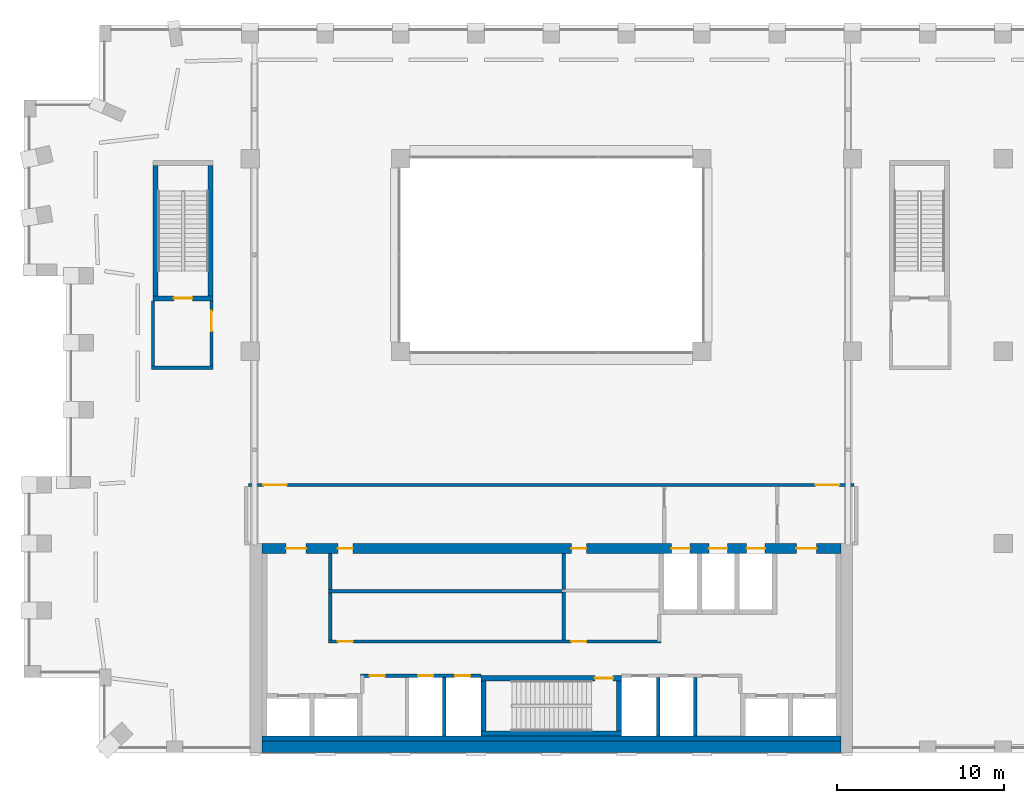
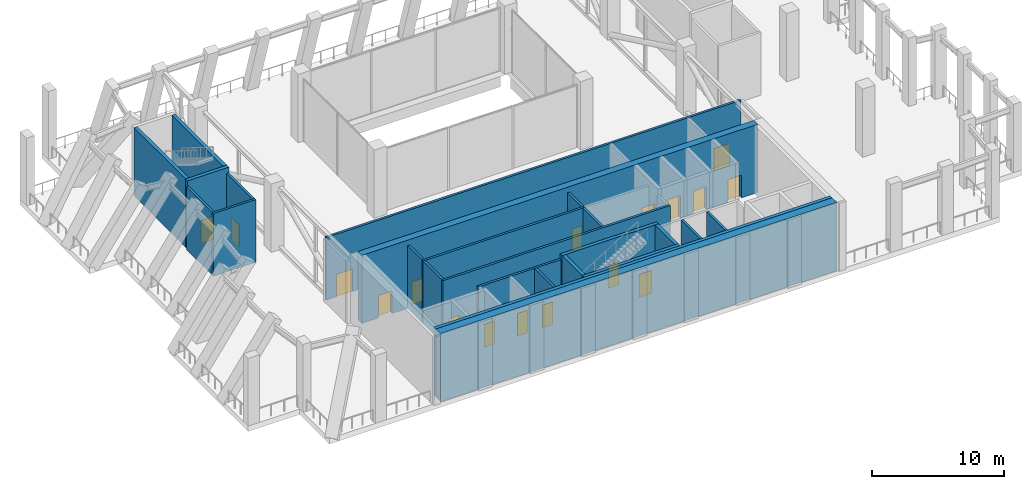
# One storey, part 10 of 14: 24 walls, 17 doors, 17 openings.
"""IFC4 building model written with IfcOpenShell, lengths in metres."""

from ifc_helpers import new_model, si_unit, direction, frame, frame_2d, origin, place, context, subcontext, project, spatial, rectangle, extrude, material, layer, layer_set, type_object, element, fill, save


model = new_model("IFC4")

# Units and contexts
model_context = context("Model", 3, precision=1e-05, world=origin(), true_north=direction((0.0, 1.0)))
body_context = subcontext(model_context, "Body", "Model", "MODEL_VIEW")
ifc_project = project(units=[si_unit("LENGTHUNIT", "METRE"), si_unit("AREAUNIT", "SQUARE_METRE"), si_unit("VOLUMEUNIT", "CUBIC_METRE"), si_unit("PLANEANGLEUNIT", "RADIAN"), si_unit("MASSUNIT", "GRAM", prefix="KILO")], contexts=[model_context])

# Site, building, storey
site_placement = place(None, origin())
site = spatial("IfcSite", under=ifc_project, at=site_placement, CompositionType="ELEMENT")
building_placement = place(site_placement, origin())
building = spatial("IfcBuilding", under=site, at=building_placement, Name="Brigalow Station Residences", CompositionType="ELEMENT")
storey_placement = place(building_placement, frame((0.0, 0.0, 185.39990234375)))
storey = spatial("IfcBuildingStorey", under=building, at=storey_placement, Name="L54", CompositionType="ELEMENT", Elevation=185.39990234375)

# Walls
ifc_material_1 = material(Name="Concrete C65", Category="concrete")
ifc_layer_1 = layer(ifc_material_1, 0.300048828125)
ifc_layer_set_1 = layer_set([ifc_layer_1], Name="CORE SHEAR WALL 300 C65")
wall_type_1 = type_object("IfcWallType", Name="CORE SHEAR WALL 300 C65", PredefinedType="SHEAR", material=ifc_layer_set_1)
wall_1_placement = place(storey_placement, frame((18.699951171875, 0.85009765625, 0.0), z_axis=(0.0, 0.0, 1.0), x_axis=(1.0, 0.0, 0.0)))
element("IfcWall", 1, at=wall_1_placement, inside=storey, type_object=wall_type_1, Name="CORE WALL LIN-S L54", PredefinedType="SHEAR", context=body_context, shape_type="SweptSolid", body=[
    extrude(rectangle(XDim=34.60009765625, YDim=0.300048828125, at=frame_2d((17.300048828125, 0.0))), origin(), (0.0, 0.0, 1.0), 6.300048828125),
])
wall_2_placement = place(storey_placement, frame((31.800048828125, 1.14990234375, 0.0), z_axis=(0.0, 0.0, 1.0), x_axis=(1.0, 0.0, 0.0)))
element("IfcWall", 2, at=wall_2_placement, inside=storey, type_object=wall_type_1, Name="CORE WALL ST-S2-S L54", PredefinedType="SHEAR", context=body_context, shape_type="SweptSolid", body=[
    extrude(rectangle(XDim=8.39990234375, YDim=0.300048828125, at=frame_2d((4.199951171875, 0.0))), origin(), (0.0, 0.0, 1.0), 6.300048828125),
])

# Wall, opening, door
wall_3_placement = place(storey_placement, frame((31.800048828125, 4.449951171875, 0.0), z_axis=(0.0, 0.0, 1.0), x_axis=(1.0, 0.0, 0.0)))
wall_3 = element("IfcWall", 3, at=wall_3_placement, inside=storey, type_object=wall_type_1, Name="CORE WALL ST-S2-N L54", PredefinedType="SHEAR", context=body_context, shape_type="SweptSolid", body=[
    extrude(rectangle(XDim=8.39990234375, YDim=0.300048828125, at=frame_2d((4.199951171875, 0.0))), origin(), (0.0, 0.0, 1.0), 6.300048828125),
])
opening_1_placement = place(wall_3_placement, frame((6.800048828125, 0.0, 0.0)))
opening_1 = element("IfcOpeningElement", 4, at=opening_1_placement, cuts=wall_3, Name="Opening D-5001", PredefinedType="OPENING", context=body_context, shape_type="SweptSolid", body=[
    extrude(rectangle(XDim=1.10009765625, YDim=2.10009765625, at=frame_2d((0.550048828125, 1.050048828125))), frame((0.0, 0.16015625, 0.0), z_axis=(0.0, -1.0, 0.0), x_axis=(1.0, 0.0, 0.0)), (0.0, 0.0, 1.0), 0.320068359375),
])
ifc_material_2 = material(Name="Steel fire door leaf in steel frame", Category="steel")
door_type_1 = type_object("IfcDoorType", Name="STAIR DOOR 1100 x 2100 FD60S", OperationType="SINGLE_SWING_LEFT", PredefinedType="DOOR", material=ifc_material_2)
door_1_placement = place(opening_1_placement, frame((1.10009765625, 0.0, 0.0), z_axis=(0.0, 0.0, 1.0), x_axis=(-1.0, 0.0, 0.0)))
door_1 = element("IfcDoor", 5, at=door_1_placement, inside=storey, type_object=door_type_1, Name="D-5001", OperationType="SINGLE_SWING_LEFT", OverallHeight=2.10009765625, OverallWidth=1.10009765625, PredefinedType="DOOR", context=body_context, shape_type="SweptSolid", body=[
    extrude(rectangle(XDim=1.10009765625, YDim=2.10009765625, at=frame_2d((0.550048828125, 1.050048828125))), frame((0.0, 0.02490234375, 0.0), z_axis=(0.0, -1.0, 0.0), x_axis=(1.0, 0.0, 0.0)), (0.0, 0.0, 1.0), 0.050048828125),
])
fill(opening_1, door_1)

# Walls
for number, where, z_axis, x_axis, name in (
    (6, (31.949951171875, 1.300048828125, 0.0), (0.0, 0.0, 1.0), (0.0, 1.0, 0.0), "CORE WALL ST-S2-W L54"),
    (7, (40.050048828125, 1.300048828125, 0.0), (0.0, 0.0, 1.0), (0.0, 1.0, 0.0), "CORE WALL ST-S2-E L54"),
):
    element("IfcWall", number, at=place(storey_placement, frame(where, z_axis=z_axis, x_axis=x_axis)), inside=storey, type_object=wall_type_1, Name=name, PredefinedType="SHEAR", context=body_context, shape_type="SweptSolid", body=[
        extrude(rectangle(XDim=3.0, YDim=0.300048828125, at=frame_2d((1.5, 0.0))), origin(), (0.0, 0.0, 1.0), 6.300048828125),
    ])

# Wall, opening, door
wall_4_placement = place(storey_placement, frame((12.199951171875, 27.14990234375, 0.0), z_axis=(0.0, 0.0, 1.0), x_axis=(1.0, 0.0, 0.0)))
wall_4 = element("IfcWall", 8, at=wall_4_placement, inside=storey, type_object=wall_type_1, Name="CORE WALL ST-S1-S L54", PredefinedType="SHEAR", context=body_context, shape_type="SweptSolid", body=[
    extrude(rectangle(XDim=3.60009765625, YDim=0.300048828125, at=frame_2d((1.800048828125, 0.0))), origin(), (0.0, 0.0, 1.0), 6.300048828125),
])
opening_2_placement = place(wall_4_placement, frame((1.25, 0.0, 0.0)))
opening_2 = element("IfcOpeningElement", 9, at=opening_2_placement, cuts=wall_4, Name="Opening D-5015", PredefinedType="OPENING", context=body_context, shape_type="SweptSolid", body=[
    extrude(rectangle(XDim=1.10009765625, YDim=2.10009765625, at=frame_2d((0.550048828125, 1.050048828125))), frame((0.0, 0.16015625, 0.0), z_axis=(0.0, -1.0, 0.0), x_axis=(1.0, 0.0, 0.0)), (0.0, 0.0, 1.0), 0.320068359375),
])
door_2_placement = place(opening_2_placement, origin())
door_2 = element("IfcDoor", 10, at=door_2_placement, inside=storey, type_object=door_type_1, Name="D-5015", OperationType="SINGLE_SWING_LEFT", OverallHeight=2.10009765625, OverallWidth=1.10009765625, PredefinedType="DOOR", context=body_context, shape_type="SweptSolid", body=[
    extrude(rectangle(XDim=1.10009765625, YDim=2.10009765625, at=frame_2d((0.550048828125, 1.050048828125))), frame((0.0, 0.02490234375, 0.0), z_axis=(0.0, -1.0, 0.0), x_axis=(1.0, 0.0, 0.0)), (0.0, 0.0, 1.0), 0.050048828125),
])
fill(opening_2, door_2)

# Walls
for number, where, z_axis, x_axis, name in (
    (11, (12.35009765625, 27.300048828125, 0.0), (0.0, 0.0, 1.0), (0.0, 1.0, 0.0), "CORE WALL ST-S1-W L54"),
    (12, (15.64990234375, 27.300048828125, 0.0), (0.0, 0.0, 1.0), (0.0, 1.0, 0.0), "CORE WALL ST-S1-E L54"),
):
    element("IfcWall", number, at=place(storey_placement, frame(where, z_axis=z_axis, x_axis=x_axis)), inside=storey, type_object=wall_type_1, Name=name, PredefinedType="SHEAR", context=body_context, shape_type="SweptSolid", body=[
        extrude(rectangle(XDim=7.800048828125, YDim=0.300048828125, at=frame_2d((3.89990234375, 0.0))), origin(), (0.0, 0.0, 1.0), 6.300048828125),
    ])

# Wall, openings, doors
ifc_material_3 = material(Name="Concrete C65", Category="concrete")
ifc_layer_2 = layer(ifc_material_3, 0.60009765625)
ifc_layer_set_2 = layer_set([ifc_layer_2], Name="CORE SHEAR WALL 600 C65")
wall_type_2 = type_object("IfcWallType", Name="CORE SHEAR WALL 600 C65", PredefinedType="SHEAR", material=ifc_layer_set_2)
wall_5_placement = place(storey_placement, frame((18.699951171875, 12.199951171875, 0.0), z_axis=(0.0, 0.0, 1.0), x_axis=(1.0, 0.0, 0.0)))
wall_5 = element("IfcWall", 13, at=wall_5_placement, inside=storey, type_object=wall_type_2, Name="CORE WALL OUT-N L54", PredefinedType="SHEAR", context=body_context, shape_type="SweptSolid", body=[
    extrude(rectangle(XDim=34.60009765625, YDim=0.60009765625, at=frame_2d((17.300048828125, 0.0))), origin(), (0.0, 0.0, 1.0), 6.300048828125),
])
opening_3_placement = place(wall_5_placement, frame((24.47509765625, 0.0, 0.0)))
opening_3 = element("IfcOpeningElement", 14, at=opening_3_placement, cuts=wall_5, Name="Opening LD-LF1", PredefinedType="OPENING", context=body_context, shape_type="SweptSolid", body=[
    extrude(rectangle(XDim=1.10009765625, YDim=2.10009765625, at=frame_2d((0.550048828125, 1.050048828125))), frame((0.0, 0.31005859375, 0.0), z_axis=(0.0, -1.0, 0.0), x_axis=(1.0, 0.0, 0.0)), (0.0, 0.0, 1.0), 0.6201171875),
])
opening_4_placement = place(wall_5_placement, frame((26.72509765625, 0.0, 0.0)))
opening_4 = element("IfcOpeningElement", 15, at=opening_4_placement, cuts=wall_5, Name="Opening LD-LF2", PredefinedType="OPENING", context=body_context, shape_type="SweptSolid", body=[
    extrude(rectangle(XDim=1.10009765625, YDim=2.10009765625, at=frame_2d((0.550048828125, 1.050048828125))), frame((0.0, 0.31005859375, 0.0), z_axis=(0.0, -1.0, 0.0), x_axis=(1.0, 0.0, 0.0)), (0.0, 0.0, 1.0), 0.6201171875),
])
opening_5_placement = place(wall_5_placement, frame((28.97509765625, 0.0, 0.0)))
opening_5 = element("IfcOpeningElement", 16, at=opening_5_placement, cuts=wall_5, Name="Opening LD-LG1", PredefinedType="OPENING", context=body_context, shape_type="SweptSolid", body=[
    extrude(rectangle(XDim=1.10009765625, YDim=2.10009765625, at=frame_2d((0.550048828125, 1.050048828125))), frame((0.0, 0.31005859375, 0.0), z_axis=(0.0, -1.0, 0.0), x_axis=(1.0, 0.0, 0.0)), (0.0, 0.0, 1.0), 0.6201171875),
])
opening_6_placement = place(wall_5_placement, frame((18.5, 0.0, 0.0)))
opening_6 = element("IfcOpeningElement", 17, at=opening_6_placement, cuts=wall_5, Name="Opening D-5126", PredefinedType="OPENING", context=body_context, shape_type="SweptSolid", body=[
    extrude(rectangle(XDim=0.89990234375, YDim=2.10009765625, at=frame_2d((0.449951171875, 1.050048828125))), frame((0.0, 0.31005859375, 0.0), z_axis=(0.0, -1.0, 0.0), x_axis=(1.0, 0.0, 0.0)), (0.0, 0.0, 1.0), 0.6201171875),
])
opening_7_placement = place(wall_5_placement, frame((4.550048828125, 0.0, 0.0)))
opening_7 = element("IfcOpeningElement", 18, at=opening_7_placement, cuts=wall_5, Name="Opening D-5127", PredefinedType="OPENING", context=body_context, shape_type="SweptSolid", body=[
    extrude(rectangle(XDim=0.89990234375, YDim=2.10009765625, at=frame_2d((0.449951171875, 1.050048828125))), frame((0.0, 0.31005859375, 0.0), z_axis=(0.0, -1.0, 0.0), x_axis=(1.0, 0.0, 0.0)), (0.0, 0.0, 1.0), 0.6201171875),
])
opening_8_placement = place(wall_5_placement, frame((1.449951171875, 0.0, 0.0)))
opening_8 = element("IfcOpeningElement", 19, at=opening_8_placement, cuts=wall_5, Name="Opening D-5011", PredefinedType="OPENING", context=body_context, shape_type="SweptSolid", body=[
    extrude(rectangle(XDim=1.199951171875, YDim=2.10009765625, at=frame_2d((0.60009765625, 1.050048828125))), frame((0.0, 0.31005859375, 0.0), z_axis=(0.0, -1.0, 0.0), x_axis=(1.0, 0.0, 0.0)), (0.0, 0.0, 1.0), 0.6201171875),
])
opening_9_placement = place(wall_5_placement, frame((31.949951171875, 0.0, 0.0)))
opening_9 = element("IfcOpeningElement", 20, at=opening_9_placement, cuts=wall_5, Name="Opening D-5012", PredefinedType="OPENING", context=body_context, shape_type="SweptSolid", body=[
    extrude(rectangle(XDim=1.199951171875, YDim=2.10009765625, at=frame_2d((0.60009765625, 1.050048828125))), frame((0.0, 0.31005859375, 0.0), z_axis=(0.0, -1.0, 0.0), x_axis=(1.0, 0.0, 0.0)), (0.0, 0.0, 1.0), 0.6201171875),
])
ifc_material_4 = material(Name="Steel fire door leaf in steel frame", Category="steel")
door_type_2 = type_object("IfcDoorType", Name="CORE CORRIDOR DOOR 1200 x 2100 FD60S", OperationType="SINGLE_SWING_LEFT", PredefinedType="DOOR", material=ifc_material_4)
door_3_placement = place(opening_8_placement, frame((1.199951171875, 0.0, 0.0), z_axis=(0.0, 0.0, 1.0), x_axis=(-1.0, 0.0, 0.0)))
door_3 = element("IfcDoor", 21, at=door_3_placement, inside=storey, type_object=door_type_2, Name="D-5011", OperationType="SINGLE_SWING_LEFT", OverallHeight=2.10009765625, OverallWidth=1.199951171875, PredefinedType="DOOR", context=body_context, shape_type="SweptSolid", body=[
    extrude(rectangle(XDim=1.199951171875, YDim=2.10009765625, at=frame_2d((0.60009765625, 1.050048828125))), frame((0.0, 0.02490234375, 0.0), z_axis=(0.0, -1.0, 0.0), x_axis=(1.0, 0.0, 0.0)), (0.0, 0.0, 1.0), 0.050048828125),
])
fill(opening_8, door_3)
door_4_placement = place(opening_9_placement, frame((1.199951171875, 0.0, 0.0), z_axis=(0.0, 0.0, 1.0), x_axis=(-1.0, 0.0, 0.0)))
door_4 = element("IfcDoor", 22, at=door_4_placement, inside=storey, type_object=door_type_2, Name="D-5012", OperationType="SINGLE_SWING_LEFT", OverallHeight=2.10009765625, OverallWidth=1.199951171875, PredefinedType="DOOR", context=body_context, shape_type="SweptSolid", body=[
    extrude(rectangle(XDim=1.199951171875, YDim=2.10009765625, at=frame_2d((0.60009765625, 1.050048828125))), frame((0.0, 0.02490234375, 0.0), z_axis=(0.0, -1.0, 0.0), x_axis=(1.0, 0.0, 0.0)), (0.0, 0.0, 1.0), 0.050048828125),
])
fill(opening_9, door_4)
ifc_material_5 = material(Name="Stainless steel sliding door leaves", Category="steel")
door_type_3 = type_object("IfcDoorType", Name="LIFT LANDING DOOR 1100 x 2100", OperationType="DOUBLE_DOOR_SLIDING", PredefinedType="DOOR", material=ifc_material_5)
door_5_placement = place(opening_3_placement, origin())
door_5 = element("IfcDoor", 23, at=door_5_placement, inside=storey, type_object=door_type_3, Name="LANDING DOOR LF1", OperationType="DOUBLE_DOOR_SLIDING", OverallHeight=2.10009765625, OverallWidth=1.10009765625, PredefinedType="DOOR", context=body_context, shape_type="SweptSolid", body=[
    extrude(rectangle(XDim=1.10009765625, YDim=2.10009765625, at=frame_2d((0.550048828125, 1.050048828125))), frame((0.0, 0.02490234375, 0.0), z_axis=(0.0, -1.0, 0.0), x_axis=(1.0, 0.0, 0.0)), (0.0, 0.0, 1.0), 0.050048828125),
])
fill(opening_3, door_5)
door_6_placement = place(opening_4_placement, origin())
door_6 = element("IfcDoor", 24, at=door_6_placement, inside=storey, type_object=door_type_3, Name="LANDING DOOR LF2", OperationType="DOUBLE_DOOR_SLIDING", OverallHeight=2.10009765625, OverallWidth=1.10009765625, PredefinedType="DOOR", context=body_context, shape_type="SweptSolid", body=[
    extrude(rectangle(XDim=1.10009765625, YDim=2.10009765625, at=frame_2d((0.550048828125, 1.050048828125))), frame((0.0, 0.02490234375, 0.0), z_axis=(0.0, -1.0, 0.0), x_axis=(1.0, 0.0, 0.0)), (0.0, 0.0, 1.0), 0.050048828125),
])
fill(opening_4, door_6)
door_7_placement = place(opening_5_placement, origin())
door_7 = element("IfcDoor", 25, at=door_7_placement, inside=storey, type_object=door_type_3, Name="LANDING DOOR LG1", OperationType="DOUBLE_DOOR_SLIDING", OverallHeight=2.10009765625, OverallWidth=1.10009765625, PredefinedType="DOOR", context=body_context, shape_type="SweptSolid", body=[
    extrude(rectangle(XDim=1.10009765625, YDim=2.10009765625, at=frame_2d((0.550048828125, 1.050048828125))), frame((0.0, 0.02490234375, 0.0), z_axis=(0.0, -1.0, 0.0), x_axis=(1.0, 0.0, 0.0)), (0.0, 0.0, 1.0), 0.050048828125),
])
fill(opening_5, door_7)
ifc_material_6 = material(Name="Steel door leaf in steel frame", Category="steel")
door_type_4 = type_object("IfcDoorType", Name="SERVICE ROOM DOOR 900 x 2100 FD60", OperationType="SINGLE_SWING_LEFT", PredefinedType="DOOR", material=ifc_material_6)
door_8_placement = place(opening_6_placement, frame((0.89990234375, 0.0, 0.0), z_axis=(0.0, 0.0, 1.0), x_axis=(-1.0, 0.0, 0.0)))
door_8 = element("IfcDoor", 26, at=door_8_placement, inside=storey, type_object=door_type_4, Name="D-5126", OperationType="SINGLE_SWING_RIGHT", OverallHeight=2.10009765625, OverallWidth=0.89990234375, PredefinedType="DOOR", context=body_context, shape_type="SweptSolid", body=[
    extrude(rectangle(XDim=0.89990234375, YDim=2.10009765625, at=frame_2d((0.449951171875, 1.050048828125))), frame((0.0, 0.02490234375, 0.0), z_axis=(0.0, -1.0, 0.0), x_axis=(1.0, 0.0, 0.0)), (0.0, 0.0, 1.0), 0.050048828125),
])
fill(opening_6, door_8)
door_9_placement = place(opening_7_placement, frame((0.89990234375, 0.0, 0.0), z_axis=(0.0, 0.0, 1.0), x_axis=(-1.0, 0.0, 0.0)))
door_9 = element("IfcDoor", 27, at=door_9_placement, inside=storey, type_object=door_type_4, Name="D-5127", OperationType="SINGLE_SWING_RIGHT", OverallHeight=2.10009765625, OverallWidth=0.89990234375, PredefinedType="DOOR", context=body_context, shape_type="SweptSolid", body=[
    extrude(rectangle(XDim=0.89990234375, YDim=2.10009765625, at=frame_2d((0.449951171875, 1.050048828125))), frame((0.0, 0.02490234375, 0.0), z_axis=(0.0, -1.0, 0.0), x_axis=(1.0, 0.0, 0.0)), (0.0, 0.0, 1.0), 0.050048828125),
])
fill(opening_7, door_9)

# Wall
ifc_material_7 = material(Name="Concrete C65", Category="concrete")
ifc_layer_3 = layer(ifc_material_7, 0.699951171875)
ifc_layer_set_3 = layer_set([ifc_layer_3], Name="CORE SHEAR WALL 700 C65")
wall_type_3 = type_object("IfcWallType", Name="CORE SHEAR WALL 700 C65", PredefinedType="SHEAR", material=ifc_layer_set_3)
wall_6_placement = place(storey_placement, frame((18.699951171875, 0.35009765625, 0.0), z_axis=(0.0, 0.0, 1.0), x_axis=(1.0, 0.0, 0.0)))
element("IfcWall", 28, at=wall_6_placement, inside=storey, type_object=wall_type_3, Name="CORE WALL OUT-S L54", PredefinedType="SHEAR", context=body_context, shape_type="SweptSolid", body=[
    extrude(rectangle(XDim=34.60009765625, YDim=0.699951171875, at=frame_2d((17.300048828125, 0.0))), origin(), (0.0, 0.0, 1.0), 6.300048828125),
])

# Wall, openings, doors
ifc_material_8 = material(Name="Concrete blockwork", Category="masonry")
ifc_layer_4 = layer(ifc_material_8, 0.199951171875)
ifc_layer_set_4 = layer_set([ifc_layer_4], Name="FIRE RATED CORE PARTITION 200")
wall_type_4 = type_object("IfcWallType", Name="FIRE RATED CORE PARTITION 200", PredefinedType="PARTITIONING", material=ifc_layer_set_4)
wall_7_placement = place(storey_placement, frame((24.60009765625, 4.60009765625, 0.0), z_axis=(0.0, 0.0, 1.0), x_axis=(1.0, 0.0, 0.0)))
wall_7 = element("IfcWall", 29, at=wall_7_placement, inside=storey, type_object=wall_type_4, Name="PW-5243", PredefinedType="PARTITIONING", context=body_context, shape_type="SweptSolid", body=[
    extrude(rectangle(XDim=7.199951171875, YDim=0.199951171875, at=frame_2d((3.60009765625, 0.0))), origin(), (0.0, 0.0, 1.0), 5.800048828125),
])
opening_10_placement = place(wall_7_placement, frame((0.550048828125, 0.0, 0.0)))
opening_10 = element("IfcOpeningElement", 30, at=opening_10_placement, cuts=wall_7, Name="Opening D-5124", PredefinedType="OPENING", context=body_context, shape_type="SweptSolid", body=[
    extrude(rectangle(XDim=0.89990234375, YDim=2.10009765625, at=frame_2d((0.449951171875, 1.050048828125))), frame((0.0, 0.10986328125, 0.0), z_axis=(0.0, -1.0, 0.0), x_axis=(1.0, 0.0, 0.0)), (0.0, 0.0, 1.0), 0.219970703125),
])
opening_11_placement = place(wall_7_placement, frame((3.449951171875, 0.0, 0.0)))
opening_11 = element("IfcOpeningElement", 31, at=opening_11_placement, cuts=wall_7, Name="Opening D-5007", PredefinedType="OPENING", context=body_context, shape_type="SweptSolid", body=[
    extrude(rectangle(XDim=0.89990234375, YDim=2.10009765625, at=frame_2d((0.449951171875, 1.050048828125))), frame((0.0, 0.10986328125, 0.0), z_axis=(0.0, -1.0, 0.0), x_axis=(1.0, 0.0, 0.0)), (0.0, 0.0, 1.0), 0.219970703125),
])
opening_12_placement = place(wall_7_placement, frame((5.64990234375, 0.0, 0.0)))
opening_12 = element("IfcOpeningElement", 32, at=opening_12_placement, cuts=wall_7, Name="Opening D-5008", PredefinedType="OPENING", context=body_context, shape_type="SweptSolid", body=[
    extrude(rectangle(XDim=0.89990234375, YDim=2.10009765625, at=frame_2d((0.449951171875, 1.050048828125))), frame((0.0, 0.10986328125, 0.0), z_axis=(0.0, -1.0, 0.0), x_axis=(1.0, 0.0, 0.0)), (0.0, 0.0, 1.0), 0.219970703125),
])
ifc_material_9 = material(Name="Steel fire door leaf in steel frame", Category="steel")
door_type_5 = type_object("IfcDoorType", Name="PLANT ROOM DOOR 900 x 2100 FD60", OperationType="SINGLE_SWING_LEFT", PredefinedType="DOOR", material=ifc_material_9)
door_10_placement = place(opening_10_placement, frame((0.89990234375, 0.0, 0.0), z_axis=(0.0, 0.0, 1.0), x_axis=(-1.0, 0.0, 0.0)))
door_10 = element("IfcDoor", 33, at=door_10_placement, inside=storey, type_object=door_type_5, Name="D-5124", OperationType="SINGLE_SWING_RIGHT", OverallHeight=2.10009765625, OverallWidth=0.89990234375, PredefinedType="DOOR", context=body_context, shape_type="SweptSolid", body=[
    extrude(rectangle(XDim=0.89990234375, YDim=2.10009765625, at=frame_2d((0.449951171875, 1.050048828125))), frame((0.0, 0.02490234375, 0.0), z_axis=(0.0, -1.0, 0.0), x_axis=(1.0, 0.0, 0.0)), (0.0, 0.0, 1.0), 0.050048828125),
])
fill(opening_10, door_10)
ifc_material_10 = material(Name="Steel fire door leaf in steel frame", Category="steel")
door_type_6 = type_object("IfcDoorType", Name="RISER ACCESS DOOR 900 x 2100 FD120", OperationType="SINGLE_SWING_LEFT", PredefinedType="DOOR", material=ifc_material_10)
door_11_placement = place(opening_11_placement, frame((0.89990234375, 0.0, 0.0), z_axis=(0.0, 0.0, 1.0), x_axis=(-1.0, 0.0, 0.0)))
door_11 = element("IfcDoor", 34, at=door_11_placement, inside=storey, type_object=door_type_6, Name="D-5007", OperationType="SINGLE_SWING_RIGHT", OverallHeight=2.10009765625, OverallWidth=0.89990234375, PredefinedType="DOOR", context=body_context, shape_type="SweptSolid", body=[
    extrude(rectangle(XDim=0.89990234375, YDim=2.10009765625, at=frame_2d((0.449951171875, 1.050048828125))), frame((0.0, 0.02490234375, 0.0), z_axis=(0.0, -1.0, 0.0), x_axis=(1.0, 0.0, 0.0)), (0.0, 0.0, 1.0), 0.050048828125),
])
fill(opening_11, door_11)
door_12_placement = place(opening_12_placement, frame((0.89990234375, 0.0, 0.0), z_axis=(0.0, 0.0, 1.0), x_axis=(-1.0, 0.0, 0.0)))
door_12 = element("IfcDoor", 35, at=door_12_placement, inside=storey, type_object=door_type_6, Name="D-5008", OperationType="SINGLE_SWING_RIGHT", OverallHeight=2.10009765625, OverallWidth=0.89990234375, PredefinedType="DOOR", context=body_context, shape_type="SweptSolid", body=[
    extrude(rectangle(XDim=0.89990234375, YDim=2.10009765625, at=frame_2d((0.449951171875, 1.050048828125))), frame((0.0, 0.02490234375, 0.0), z_axis=(0.0, -1.0, 0.0), x_axis=(1.0, 0.0, 0.0)), (0.0, 0.0, 1.0), 0.050048828125),
])
fill(opening_12, door_12)

wall_8_placement = place(storey_placement, frame((22.699951171875, 6.64990234375, 0.0), z_axis=(0.0, 0.0, 1.0), x_axis=(1.0, 0.0, 0.0)))
wall_8 = element("IfcWall", 36, at=wall_8_placement, inside=storey, type_object=wall_type_4, Name="PW-5245", PredefinedType="PARTITIONING", context=body_context, shape_type="SweptSolid", body=[
    extrude(rectangle(XDim=19.85009765625, YDim=0.199951171875, at=frame_2d((9.925048828125, 0.0))), origin(), (0.0, 0.0, 1.0), 5.800048828125),
])
opening_13_placement = place(wall_8_placement, frame((14.5, 0.0, 0.0)))
opening_13 = element("IfcOpeningElement", 37, at=opening_13_placement, cuts=wall_8, Name="Opening D-5125", PredefinedType="OPENING", context=body_context, shape_type="SweptSolid", body=[
    extrude(rectangle(XDim=0.89990234375, YDim=2.10009765625, at=frame_2d((0.449951171875, 1.050048828125))), frame((0.0, 0.10986328125, 0.0), z_axis=(0.0, -1.0, 0.0), x_axis=(1.0, 0.0, 0.0)), (0.0, 0.0, 1.0), 0.219970703125),
])
opening_14_placement = place(wall_8_placement, frame((0.550048828125, 0.0, 0.0)))
opening_14 = element("IfcOpeningElement", 38, at=opening_14_placement, cuts=wall_8, Name="Opening D-5128", PredefinedType="OPENING", context=body_context, shape_type="SweptSolid", body=[
    extrude(rectangle(XDim=0.89990234375, YDim=2.10009765625, at=frame_2d((0.449951171875, 1.050048828125))), frame((0.0, 0.10986328125, 0.0), z_axis=(0.0, -1.0, 0.0), x_axis=(1.0, 0.0, 0.0)), (0.0, 0.0, 1.0), 0.219970703125),
])
door_13_placement = place(opening_13_placement, origin())
door_13 = element("IfcDoor", 39, at=door_13_placement, inside=storey, type_object=door_type_5, Name="D-5125", OperationType="SINGLE_SWING_LEFT", OverallHeight=2.10009765625, OverallWidth=0.89990234375, PredefinedType="DOOR", context=body_context, shape_type="SweptSolid", body=[
    extrude(rectangle(XDim=0.89990234375, YDim=2.10009765625, at=frame_2d((0.449951171875, 1.050048828125))), frame((0.0, 0.02490234375, 0.0), z_axis=(0.0, -1.0, 0.0), x_axis=(1.0, 0.0, 0.0)), (0.0, 0.0, 1.0), 0.050048828125),
])
fill(opening_13, door_13)
door_14_placement = place(opening_14_placement, origin())
door_14 = element("IfcDoor", 40, at=door_14_placement, inside=storey, type_object=door_type_5, Name="D-5128", OperationType="SINGLE_SWING_LEFT", OverallHeight=2.10009765625, OverallWidth=0.89990234375, PredefinedType="DOOR", context=body_context, shape_type="SweptSolid", body=[
    extrude(rectangle(XDim=0.89990234375, YDim=2.10009765625, at=frame_2d((0.449951171875, 1.050048828125))), frame((0.0, 0.02490234375, 0.0), z_axis=(0.0, -1.0, 0.0), x_axis=(1.0, 0.0, 0.0)), (0.0, 0.0, 1.0), 0.050048828125),
])
fill(opening_14, door_14)

# Walls
wall_9_placement = place(storey_placement, frame((22.699951171875, 9.64990234375, 0.0), z_axis=(0.0, 0.0, 1.0), x_axis=(1.0, 0.0, 0.0)))
element("IfcWall", 41, at=wall_9_placement, inside=storey, type_object=wall_type_4, Name="PW-5247", PredefinedType="PARTITIONING", context=body_context, shape_type="SweptSolid", body=[
    extrude(rectangle(XDim=14.150146484375, YDim=0.199951171875, at=frame_2d((7.0751953125, 0.0))), origin(), (0.0, 0.0, 1.0), 5.800048828125),
])
wall_10_placement = place(storey_placement, frame((12.10009765625, 23.0, 0.0), z_axis=(0.0, 0.0, 1.0), x_axis=(1.0, 0.0, 0.0)))
element("IfcWall", 42, at=wall_10_placement, inside=storey, type_object=wall_type_4, Name="PW-5350", PredefinedType="PARTITIONING", context=body_context, shape_type="SweptSolid", body=[
    extrude(rectangle(XDim=3.699951171875, YDim=0.199951171875, at=frame_2d((1.85009765625, 0.0))), origin(), (0.0, 0.0, 1.0), 5.800048828125),
])
for number, where, z_axis, x_axis, name in (
    (43, (29.60009765625, 1.0, 0.0), (0.0, 0.0, 1.0), (0.0, 1.0, 0.0), "PW-5006"),
    (44, (42.39990234375, 1.0, 0.0), (0.0, 0.0, 1.0), (0.0, 1.0, 0.0), "PW-5007"),
    (45, (44.60009765625, 1.0, 0.0), (0.0, 0.0, 1.0), (0.0, 1.0, 0.0), "PW-5008"),
):
    element("IfcWall", number, at=place(storey_placement, frame(where, z_axis=z_axis, x_axis=x_axis)), inside=storey, type_object=wall_type_4, Name=name, PredefinedType="PARTITIONING", context=body_context, shape_type="SweptSolid", body=[
        extrude(rectangle(XDim=3.5, YDim=0.199951171875, at=frame_2d((1.75, 0.0))), origin(), (0.0, 0.0, 1.0), 5.800048828125),
    ])
wall_11_placement = place(storey_placement, frame((22.800048828125, 6.75, 0.0), z_axis=(0.0, 0.0, 1.0), x_axis=(0.0, 1.0, 0.0)))
element("IfcWall", 46, at=wall_11_placement, inside=storey, type_object=wall_type_4, Name="PW-5252", PredefinedType="PARTITIONING", context=body_context, shape_type="SweptSolid", body=[
    extrude(rectangle(XDim=2.800048828125, YDim=0.199951171875, at=frame_2d((1.39990234375, 0.0))), origin(), (0.0, 0.0, 1.0), 5.800048828125),
])
wall_12_placement = place(storey_placement, frame((36.75, 6.75, 0.0), z_axis=(0.0, 0.0, 1.0), x_axis=(0.0, 1.0, 0.0)))
element("IfcWall", 47, at=wall_12_placement, inside=storey, type_object=wall_type_4, Name="PW-5297", PredefinedType="PARTITIONING", context=body_context, shape_type="SweptSolid", body=[
    extrude(rectangle(XDim=2.844970703125, YDim=0.199951171875, at=frame_2d((1.42236328125, 0.0))), origin(), (0.0, 0.0, 1.0), 5.800048828125),
])
for number, where, z_axis, x_axis, name in (
    (48, (22.800048828125, 9.75, 0.0), (0.0, 0.0, 1.0), (0.0, 1.0, 0.0), "PW-5255"),
    (49, (36.75, 9.75, 0.0), (0.0, 0.0, 1.0), (0.0, 1.0, 0.0), "PW-5256"),
):
    element("IfcWall", number, at=place(storey_placement, frame(where, z_axis=z_axis, x_axis=x_axis)), inside=storey, type_object=wall_type_4, Name=name, PredefinedType="PARTITIONING", context=body_context, shape_type="SweptSolid", body=[
        extrude(rectangle(XDim=2.14990234375, YDim=0.199951171875, at=frame_2d((1.074951171875, 0.0))), origin(), (0.0, 0.0, 1.0), 5.800048828125),
    ])
wall_13_placement = place(storey_placement, frame((12.199951171875, 23.10009765625, 0.0), z_axis=(0.0, 0.0, 1.0), x_axis=(0.0, 1.0, 0.0)))
element("IfcWall", 50, at=wall_13_placement, inside=storey, type_object=wall_type_4, Name="PW-5034", PredefinedType="PARTITIONING", context=body_context, shape_type="SweptSolid", body=[
    extrude(rectangle(XDim=3.89990234375, YDim=0.199951171875, at=frame_2d((1.949951171875, 0.0))), origin(), (0.0, 0.0, 1.0), 5.800048828125),
])

# Wall, opening, door
wall_14_placement = place(storey_placement, frame((15.699951171875, 23.10009765625, 0.0), z_axis=(0.0, 0.0, 1.0), x_axis=(0.0, 1.0, 0.0)))
wall_14 = element("IfcWall", 51, at=wall_14_placement, inside=storey, type_object=wall_type_4, Name="PW-5353", PredefinedType="PARTITIONING", context=body_context, shape_type="SweptSolid", body=[
    extrude(rectangle(XDim=3.89990234375, YDim=0.199951171875, at=frame_2d((1.949951171875, 0.0))), origin(), (0.0, 0.0, 1.0), 5.800048828125),
])
opening_15_placement = place(wall_14_placement, frame((2.10009765625, 0.0, 0.0)))
opening_15 = element("IfcOpeningElement", 52, at=opening_15_placement, cuts=wall_14, Name="Opening D-5177", PredefinedType="OPENING", context=body_context, shape_type="SweptSolid", body=[
    extrude(rectangle(XDim=1.199951171875, YDim=2.10009765625, at=frame_2d((0.60009765625, 1.050048828125))), frame((0.0, 0.10986328125, 0.0), z_axis=(0.0, -1.0, 0.0), x_axis=(1.0, 0.0, 0.0)), (0.0, 0.0, 1.0), 0.219970703125),
])
ifc_material_11 = material(Name="Steel fire door leaf in steel frame", Category="steel")
door_type_7 = type_object("IfcDoorType", Name="STAIR LOBBY DOOR 1200 x 2100 FD60S", OperationType="SINGLE_SWING_LEFT", PredefinedType="DOOR", material=ifc_material_11)
door_15_placement = place(opening_15_placement, frame((1.199951171875, 0.0, 0.0), z_axis=(0.0, 0.0, 1.0), x_axis=(-1.0, 0.0, 0.0)))
door_15 = element("IfcDoor", 53, at=door_15_placement, inside=storey, type_object=door_type_7, Name="D-5177", OperationType="SINGLE_SWING_RIGHT", OverallHeight=2.10009765625, OverallWidth=1.199951171875, PredefinedType="DOOR", context=body_context, shape_type="SweptSolid", body=[
    extrude(rectangle(XDim=1.199951171875, YDim=2.10009765625, at=frame_2d((0.60009765625, 1.050048828125))), frame((0.0, 0.02490234375, 0.0), z_axis=(0.0, -1.0, 0.0), x_axis=(1.0, 0.0, 0.0)), (0.0, 0.0, 1.0), 0.050048828125),
])
fill(opening_15, door_15)

# Wall, openings, doors
wall_15_placement = place(storey_placement, frame((17.89990234375, 16.0, 0.0), z_axis=(0.0, 0.0, 1.0), x_axis=(1.0, 0.0, 0.0)))
wall_15 = element("IfcWall", 54, at=wall_15_placement, inside=storey, type_object=wall_type_4, Name="PW-5038", PredefinedType="PARTITIONING", context=body_context, shape_type="SweptSolid", body=[
    extrude(rectangle(XDim=36.2001953125, YDim=0.199951171875, at=frame_2d((18.10009765625, 0.0))), origin(), (0.0, 0.0, 1.0), 5.800048828125),
])
opening_16_placement = place(wall_15_placement, frame((0.89990234375, 0.0, 0.0)))
opening_16 = element("IfcOpeningElement", 55, at=opening_16_placement, cuts=wall_15, Name="Opening D-5029", PredefinedType="OPENING", context=body_context, shape_type="SweptSolid", body=[
    extrude(rectangle(XDim=1.39990234375, YDim=2.10009765625, at=frame_2d((0.699951171875, 1.050048828125))), frame((0.0, 0.10986328125, 0.0), z_axis=(0.0, -1.0, 0.0), x_axis=(1.0, 0.0, 0.0)), (0.0, 0.0, 1.0), 0.219970703125),
])
opening_17_placement = place(wall_15_placement, frame((33.89990234375, 0.0, 0.0)))
opening_17 = element("IfcOpeningElement", 56, at=opening_17_placement, cuts=wall_15, Name="Opening D-5030", PredefinedType="OPENING", context=body_context, shape_type="SweptSolid", body=[
    extrude(rectangle(XDim=1.39990234375, YDim=2.10009765625, at=frame_2d((0.699951171875, 1.050048828125))), frame((0.0, 0.10986328125, 0.0), z_axis=(0.0, -1.0, 0.0), x_axis=(1.0, 0.0, 0.0)), (0.0, 0.0, 1.0), 0.219970703125),
])
ifc_material_12 = material(Name="Steel fire door leaves in steel frame", Category="steel")
door_type_8 = type_object("IfcDoorType", Name="CORRIDOR FIRE DOOR 1400 x 2100 FD60S", OperationType="SINGLE_SWING_LEFT", PredefinedType="DOOR", material=ifc_material_12)
door_16_placement = place(opening_16_placement, origin())
door_16 = element("IfcDoor", 57, at=door_16_placement, inside=storey, type_object=door_type_8, Name="D-5029", OperationType="SINGLE_SWING_RIGHT", OverallHeight=2.10009765625, OverallWidth=1.39990234375, PredefinedType="DOOR", context=body_context, shape_type="SweptSolid", body=[
    extrude(rectangle(XDim=1.39990234375, YDim=2.10009765625, at=frame_2d((0.699951171875, 1.050048828125))), frame((0.0, 0.02490234375, 0.0), z_axis=(0.0, -1.0, 0.0), x_axis=(1.0, 0.0, 0.0)), (0.0, 0.0, 1.0), 0.050048828125),
])
fill(opening_16, door_16)
door_17_placement = place(opening_17_placement, origin())
door_17 = element("IfcDoor", 58, at=door_17_placement, inside=storey, type_object=door_type_8, Name="D-5030", OperationType="SINGLE_SWING_LEFT", OverallHeight=2.10009765625, OverallWidth=1.39990234375, PredefinedType="DOOR", context=body_context, shape_type="SweptSolid", body=[
    extrude(rectangle(XDim=1.39990234375, YDim=2.10009765625, at=frame_2d((0.699951171875, 1.050048828125))), frame((0.0, 0.02490234375, 0.0), z_axis=(0.0, -1.0, 0.0), x_axis=(1.0, 0.0, 0.0)), (0.0, 0.0, 1.0), 0.050048828125),
])
fill(opening_17, door_17)

save(model, "model.ifc")
